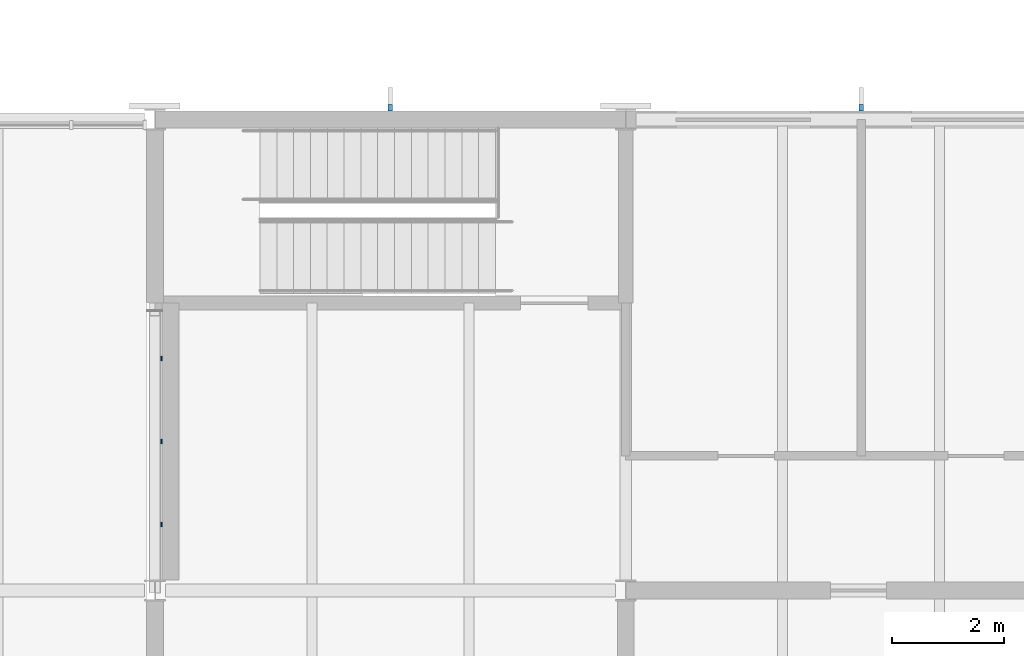
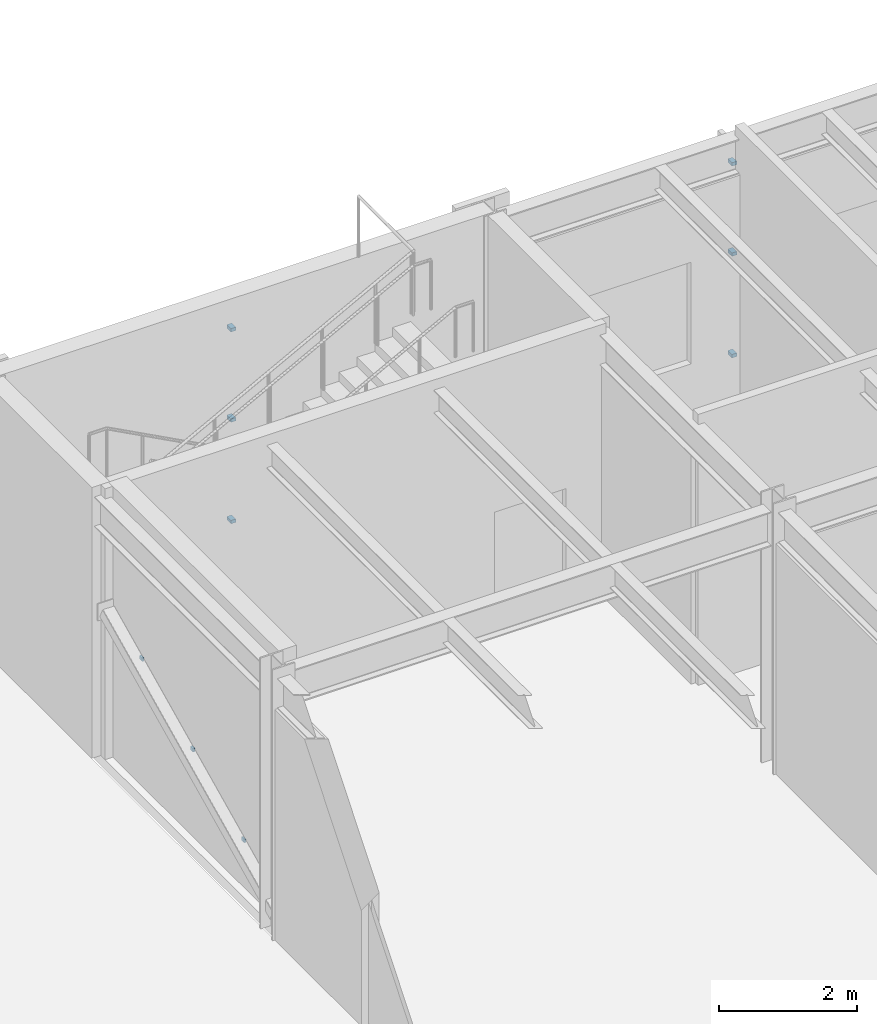
# One storey, part 100 of 127: 9 discrete accessories.
"""IFC4 building model written with IfcOpenShell, lengths in metres."""

from ifc_helpers import new_model, si_unit, direction, frame, origin, origin_2d, place, context, subcontext, project, spatial, rectangle, extrude, material, type_object, element, save


model = new_model("IFC4")

# Units and contexts
model_context = context("Model", 3, precision=1e-05, world=origin(), true_north=direction((0.0, 1.0)))
body_context = subcontext(model_context, "Body", "Model", "MODEL_VIEW")
ifc_project = project(units=[si_unit("LENGTHUNIT", "METRE"), si_unit("AREAUNIT", "SQUARE_METRE"), si_unit("VOLUMEUNIT", "CUBIC_METRE"), si_unit("PLANEANGLEUNIT", "RADIAN"), si_unit("MASSUNIT", "GRAM", prefix="KILO")], contexts=[model_context])

# Site, building, storey
site_placement = place(None, origin())
site = spatial("IfcSite", under=ifc_project, at=site_placement, CompositionType="ELEMENT")
building_placement = place(site_placement, origin())
building = spatial("IfcBuilding", under=site, at=building_placement, Name="Ljudholm Concert House", CompositionType="ELEMENT")
storey_placement = place(building_placement, frame((0.0, 0.0, 5.39990234375)))
storey = spatial("IfcBuildingStorey", under=building, at=storey_placement, Name="L01", CompositionType="ELEMENT", Elevation=5.39990234375)

# Discrete accessories
ifc_material_1 = material(Name="Stainless steel bracket", Category="steel")
discrete_accessory_type_1 = type_object("IfcDiscreteAccessoryType", Name="BRACKET 120", PredefinedType="BRACKET", material=ifc_material_1)
for number, where, z_axis, x_axis, name in (
    (1, (58.60009765625, 130.2099609375, 0.570068359375), (0.0, 0.0, 1.0), (0.0, 1.0, 0.0), "Fin bracket"),
    (2, (58.60009765625, 130.2099609375, 2.3701171875), (0.0, 0.0, 1.0), (0.0, 1.0, 0.0), "Fin bracket"),
    (3, (58.60009765625, 130.2099609375, 3.969970703125), (0.0, 0.0, 1.0), (0.0, 1.0, 0.0), "Fin bracket"),
    (4, (67.0, 130.2099609375, 0.570068359375), (0.0, 0.0, 1.0), (0.0, 1.0, 0.0), "Fin bracket"),
    (5, (67.0, 130.2099609375, 2.3701171875), (0.0, 0.0, 1.0), (0.0, 1.0, 0.0), "Fin bracket"),
    (6, (67.0, 130.2099609375, 3.969970703125), (0.0, 0.0, 1.0), (0.0, 1.0, 0.0), "Fin bracket"),
):
    element("IfcDiscreteAccessory", number, at=place(storey_placement, frame(where, z_axis=z_axis, x_axis=x_axis)), inside=storey, type_object=discrete_accessory_type_1, Name=name, PredefinedType="BRACKET", context=body_context, shape_type="SweptSolid", body=[
        extrude(rectangle(XDim=0.1201171875, YDim=0.080078125, at=origin_2d()), origin(), (0.0, 0.0, 1.0), 0.06005859375),
    ])
ifc_material_2 = material(Name="Stainless steel bracket", Category="steel")
discrete_accessory_type_2 = type_object("IfcDiscreteAccessoryType", Name="PANEL BRACKET", PredefinedType="BRACKET", material=ifc_material_2)
for number, where, z_axis, x_axis, name in (
    (7, (54.515625, 122.777099609375, 0.833251953125), (0.0, 0.0, 1.0), (1.0, 0.0, 0.0), "Panel bracket"),
    (8, (54.515625, 124.257568359375, 1.5419921875), (0.0, 0.0, 1.0), (1.0, 0.0, 0.0), "Panel bracket"),
    (9, (54.515625, 125.738037109375, 2.25048828125), (0.0, 0.0, 1.0), (1.0, 0.0, 0.0), "Panel bracket"),
):
    element("IfcDiscreteAccessory", number, at=place(storey_placement, frame(where, z_axis=z_axis, x_axis=x_axis)), inside=storey, type_object=discrete_accessory_type_2, Name=name, PredefinedType="BRACKET", context=body_context, shape_type="SweptSolid", body=[
        extrude(rectangle(XDim=0.028076171875, YDim=0.080078125, at=origin_2d()), origin(), (0.0, 0.0, 1.0), 0.06005859375),
    ])

save(model, "model.ifc")
